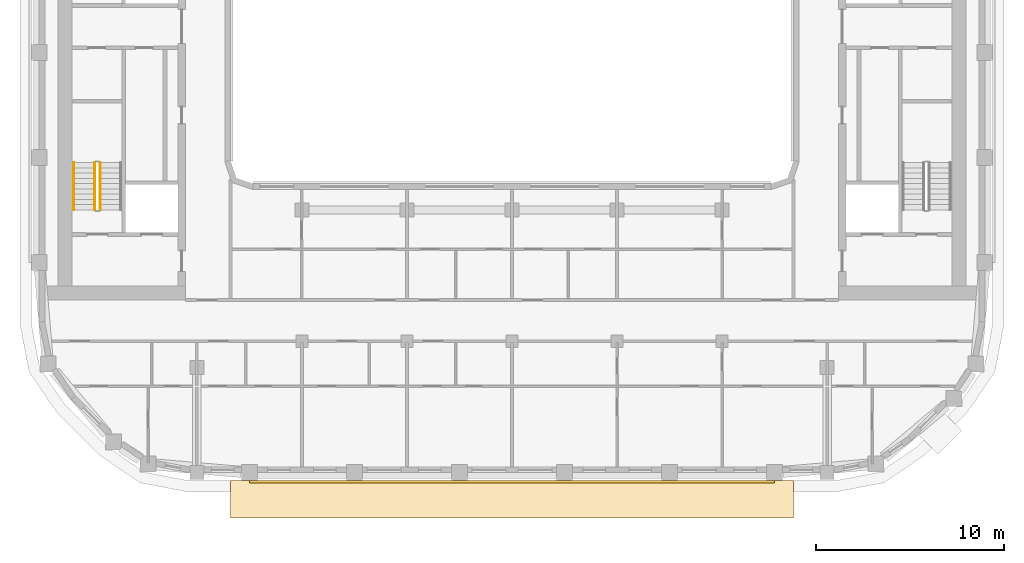
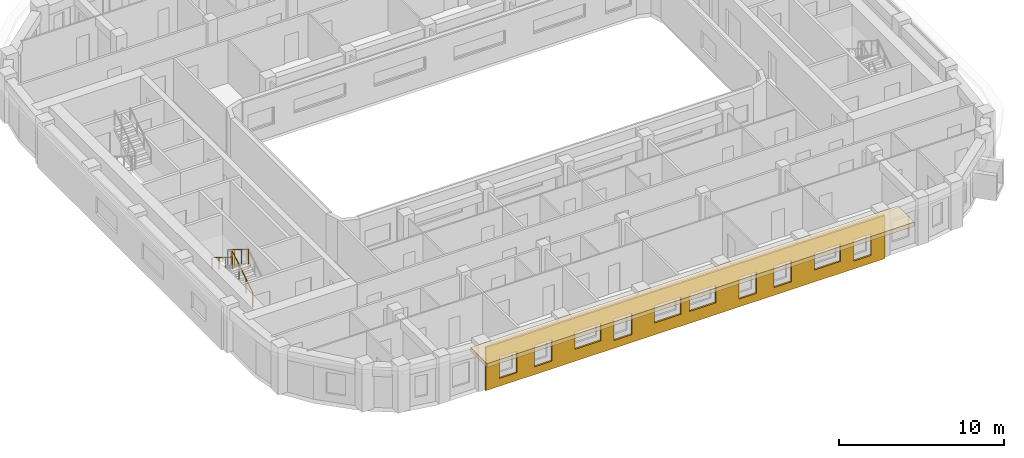
# One storey, part 11 of 21: 3 railings, 2 coverings.
"""IFC4 building model written with IfcOpenShell, lengths in metres."""

import ifcopenshell
import ifcopenshell.guid

model = None  # the IFC model being written
_history = None  # IfcOwnerHistory: only IFC2X3 demands one
_inside = {}  # id of a spatial element -> (the spatial element, [elements in it])
_under = {}  # id of a project, library or spatial element -> (it, [spatial elements below it])
_declared = {}  # id of a project -> (the project, [libraries it declares])
_typed = {}  # id of a type object -> (the type object, [elements of that type])
_made_of = {}  # id of a material, layer set ... -> (it, [elements and type objects made of it])


def new_model(schema):
    """Start an empty IFC model of exactly this schema.

    Asked for "IFC4X3", IfcOpenShell would pick the latest addendum, in which some entities
    have other attributes; the version numbers below select the first issue.
    IFC2X3 requires an IfcOwnerHistory on every rooted entity: one is made here for all.
    """
    global model, _history
    if schema == "IFC4X3":
        model = ifcopenshell.file(schema_version=(4, 3, 0, 0))
    else:
        model = ifcopenshell.file(schema=schema)
    _inside.clear()
    _under.clear()
    _declared.clear()
    _typed.clear()
    _made_of.clear()
    _history = None
    if model.schema == "IFC2X3":
        org = make("IfcOrganization", Name="unknown")
        user = make(
            "IfcPersonAndOrganization",
            ThePerson=make("IfcPerson", FamilyName="unknown"),
            TheOrganization=org,
        )
        app = make(
            "IfcApplication",
            ApplicationDeveloper=org,
            Version="unknown",
            ApplicationFullName="unknown",
            ApplicationIdentifier="unknown",
        )
        _history = make(
            "IfcOwnerHistory",
            OwningUser=user,
            OwningApplication=app,
            ChangeAction="ADDED",
            CreationDate=0,
        )
    return model


def make(cls, **values):
    """One entity of the class cls with the attributes given. An attribute that is None is left unset."""
    return model.create_entity(
        cls, **{name: value for name, value in values.items() if value is not None}
    )


def rooted(cls, **values):
    """An entity with a GlobalId (a new one), such as an element, a storey or a relation."""
    return make(cls, GlobalId=ifcopenshell.guid.new(), OwnerHistory=_history, **values)


def si_unit(unit_type, name, prefix=None):
    """IfcSIUnit, for example si_unit("LENGTHUNIT", "METRE", prefix="MILLI")."""
    return make("IfcSIUnit", UnitType=unit_type, Prefix=prefix, Name=name)


def assignment(units):
    """IfcUnitAssignment: the units of a project."""
    return None if units is None else make("IfcUnitAssignment", Units=units)


def point(xyz):
    """IfcCartesianPoint."""
    return None if xyz is None else make("IfcCartesianPoint", Coordinates=xyz)


def direction(xyz):
    """IfcDirection."""
    return None if xyz is None else make("IfcDirection", DirectionRatios=xyz)


def frame(location, z_axis=None, x_axis=None):
    """IfcAxis2Placement3D, a coordinate frame: its origin and axes. An axis left out is left unset."""
    return make(
        "IfcAxis2Placement3D",
        Location=point(location),
        Axis=direction(z_axis),
        RefDirection=direction(x_axis),
    )


def frame_2d(location, x_axis=None):
    """IfcAxis2Placement2D, a coordinate frame in the plane: its origin and x axis."""
    return make(
        "IfcAxis2Placement2D", Location=point(location), RefDirection=direction(x_axis)
    )


def origin():
    """The frame at (0, 0, 0) with its axes left unset."""
    return frame((0.0, 0.0, 0.0))


def origin_2d():
    """The frame at (0, 0) in the plane with its x axis left unset."""
    return frame_2d((0.0, 0.0))


def place(relative_to, where):
    """IfcLocalPlacement: puts the frame where relative to a parent placement (None: the world)."""
    return make(
        "IfcLocalPlacement", PlacementRelTo=relative_to, RelativePlacement=where
    )


def context(
    kind, dimensions, precision=None, world=None, true_north=None, identifier=None
):
    """IfcGeometricRepresentationContext, for example the 3D "Model" context."""
    return make(
        "IfcGeometricRepresentationContext",
        ContextIdentifier=identifier,
        ContextType=kind,
        CoordinateSpaceDimension=dimensions,
        Precision=precision,
        WorldCoordinateSystem=world,
        TrueNorth=true_north,
    )


def subcontext(parent, identifier, kind, view, scale=None):
    """IfcGeometricRepresentationSubContext, for example "Body" below "Model"."""
    return make(
        "IfcGeometricRepresentationSubContext",
        ContextIdentifier=identifier,
        ContextType=kind,
        ParentContext=parent,
        TargetScale=scale,
        TargetView=view,
    )


def project(units=None, contexts=None):
    """IfcProject with its units and contexts."""
    return rooted(
        "IfcProject",
        Name="project",
        RepresentationContexts=contexts,
        UnitsInContext=assignment(units),
    )


def spatial(cls, under=None, at=None, **own):
    """A site, building, storey or space (cls), placed at a placement, below another one or the project."""
    s = rooted(cls, ObjectPlacement=at, **own)
    if under is not None:
        _under.setdefault(under.id(), (under, []))[1].append(s)
    return s


def polyline(points):
    """IfcPolyline through the points."""
    return make("IfcPolyline", Points=[point(p) for p in points])


def profile(cls, at=None, kind="AREA", **sizes):
    """A parametric profile (cls). Its sizes go by their IFC names, for example OverallWidth=200.0."""
    return make(cls, ProfileType=kind, Position=at, **sizes)


def circle(**sizes):
    """IfcCircleProfileDef."""
    return profile("IfcCircleProfileDef", **sizes)


def outline(outer, holes=None, kind="AREA"):
    """IfcArbitraryClosedProfileDef: a profile drawn as a closed curve; with holes, ...WithVoids."""
    if holes is None:
        return make("IfcArbitraryClosedProfileDef", ProfileType=kind, OuterCurve=outer)
    return make(
        "IfcArbitraryProfileDefWithVoids",
        ProfileType=kind,
        OuterCurve=outer,
        InnerCurves=holes,
    )


def extrude(swept, where, along, depth):
    """IfcExtrudedAreaSolid: the profile swept, set in the frame where, extruded along a direction by depth."""
    return make(
        "IfcExtrudedAreaSolid",
        SweptArea=swept,
        Position=where,
        ExtrudedDirection=direction(along),
        Depth=depth,
    )


def shape(context_of_items, identifier, shape_type, items):
    """IfcShapeRepresentation: the items that make up one representation, for example the "Body"."""
    return make(
        "IfcShapeRepresentation",
        ContextOfItems=context_of_items,
        RepresentationIdentifier=identifier,
        RepresentationType=shape_type,
        Items=items,
    )


def material(Name=None, Category=None):
    """IfcMaterial."""
    return make("IfcMaterial", Name=Name, Category=Category)


def layer(
    of_material, thickness, ventilated=None, Name=None, Category=None, Priority=None
):
    """IfcMaterialLayer: one layer of a wall or slab, of a material (None: an air gap)."""
    return make(
        "IfcMaterialLayer",
        Material=of_material,
        LayerThickness=thickness,
        IsVentilated=ventilated,
        Name=Name,
        Category=Category,
        Priority=Priority,
    )


def layer_set(layers, Name=None):
    """IfcMaterialLayerSet."""
    return make("IfcMaterialLayerSet", MaterialLayers=layers, LayerSetName=Name)


def made_of(thing, what):
    """Note that an element or type object is made of a material, layer set ...; save() writes the relation."""
    if what is not None:
        _made_of.setdefault(what.id(), (what, []))[1].append(thing)
    return thing


def type_object(cls, material=None, **own):
    """A type object (cls), such as IfcWallType, which elements share."""
    return made_of(rooted(cls, **own), material)


def element(
    cls,
    number,
    at=None,
    inside=None,
    cuts=None,
    type_object=None,
    material=None,
    context=None,
    identifier="Body",
    shape_type=None,
    held_by="IfcProductDefinitionShape",
    body=None,
    shapes=None,
    **own,
):
    """One element of the class cls, such as IfcWall. Its Tag is "e" and its number.

    at: its placement. inside: the storey or other place that contains it. cuts: it is an
    opening in that element (IfcRelVoidsElement). A single representation is given by context,
    identifier, shape_type and body (its items); several are given by shapes. held_by: the class
    of the entity that holds the representations. save() writes the other relations.
    """
    e = rooted(cls, Tag="e%d" % number, ObjectPlacement=at, **own)
    if body is not None:
        shapes = [shape(context, identifier, shape_type, body)]
    if shapes is not None:
        e.Representation = make(held_by, Representations=shapes)
    if inside is not None:
        _inside.setdefault(inside.id(), (inside, []))[1].append(e)
    if cuts is not None:
        rooted(
            "IfcRelVoidsElement", RelatingBuildingElement=cuts, RelatedOpeningElement=e
        )
    if type_object is not None:
        _typed.setdefault(type_object.id(), (type_object, []))[1].append(e)
    return made_of(e, material)


def aggregate(whole, parts):
    """IfcRelAggregates: a whole, such as a stair, and the parts it consists of."""
    return rooted("IfcRelAggregates", RelatingObject=whole, RelatedObjects=parts)


def save(model, path):
    """Write the relations noted so far, then the file.

    IfcRelAggregates (storeys below a building ...), IfcRelContainedInSpatialStructure (elements
    in a storey), IfcRelDefinesByType, IfcRelAssociatesMaterial and IfcRelDeclares: one each for
    every whole, place, type object, material and project.
    """
    for whole, parts in _under.values():
        aggregate(whole, parts)
    for where, things in _inside.values():
        rooted(
            "IfcRelContainedInSpatialStructure",
            RelatedElements=things,
            RelatingStructure=where,
        )
    for kind, things in _typed.values():
        rooted("IfcRelDefinesByType", RelatedObjects=things, RelatingType=kind)
    for what, things in _made_of.values():
        rooted("IfcRelAssociatesMaterial", RelatedObjects=things, RelatingMaterial=what)
    for by, libraries in _declared.values():
        rooted("IfcRelDeclares", RelatingContext=by, RelatedDefinitions=libraries)
    model.write(path)


model = new_model("IFC4")

# Units and contexts
model_context = context("Model", 3, precision=1e-05, world=origin(), true_north=direction((0.0, 1.0)))
body_context = subcontext(model_context, "Body", "Model", "MODEL_VIEW")
ifc_project = project(units=[si_unit("LENGTHUNIT", "METRE"), si_unit("AREAUNIT", "SQUARE_METRE"), si_unit("VOLUMEUNIT", "CUBIC_METRE"), si_unit("PLANEANGLEUNIT", "RADIAN"), si_unit("MASSUNIT", "GRAM", prefix="KILO")], contexts=[model_context])

# Site, building, storey
site_placement = place(None, origin())
site = spatial("IfcSite", under=ifc_project, at=site_placement, CompositionType="ELEMENT")
building_placement = place(site_placement, origin())
building = spatial("IfcBuilding", under=site, at=building_placement, Name="Kiln Ring Residences", CompositionType="ELEMENT")
storey_placement = place(building_placement, frame((0.0, 0.0, 223.89990234375)))
storey = spatial("IfcBuildingStorey", under=building, at=storey_placement, Name="L58", CompositionType="ELEMENT", Elevation=223.89990234375)

# Railings
ifc_material_1 = material(Name="Stainless steel", Category="steel")
railing_type_1 = type_object("IfcRailingType", Name="CORE-STAIR-GUARD", PredefinedType="GUARDRAIL", material=ifc_material_1)
railing_1_placement = place(storey_placement, frame((-21.949951171875, -8.39990234375, 0.175048828125)))
element("IfcRailing", 1, at=railing_1_placement, inside=storey, type_object=railing_type_1, Name="L58 W-STS stair guard 1", PredefinedType="GUARDRAIL", context=body_context, shape_type="SweptSolid", body=[
    extrude(circle(Radius=0.02392578125, at=origin_2d()), frame((0.0, 0.0, 1.076171875), z_axis=(0.0, 0.848007534815, 0.529984170421), x_axis=(-1.0, 0.0, 0.0)), (0.0, 0.0, 1.0), 2.9716796875),
    extrude(circle(Radius=0.02099609375, at=origin_2d()), origin(), (0.0, 0.0, 1.0), 1.052001953125),
    extrude(circle(Radius=0.02099609375, at=origin_2d()), frame((0.0, 0.840087890625, 0.52490234375)), (0.0, 0.0, 1.0), 1.052001953125),
    extrude(circle(Radius=0.02099609375, at=origin_2d()), frame((0.0, 1.679931640625, 1.050048828125)), (0.0, 0.0, 1.0), 1.052001953125),
    extrude(circle(Radius=0.02099609375, at=origin_2d()), frame((0.0, 2.52001953125, 1.574951171875)), (0.0, 0.0, 1.0), 1.052001953125),
])
railing_2_placement = place(storey_placement, frame((-22.25, -5.8798828125, 1.925048828125)))
element("IfcRailing", 2, at=railing_2_placement, inside=storey, type_object=railing_type_1, Name="L58 W-STS stair guard 3", PredefinedType="GUARDRAIL", context=body_context, shape_type="SweptSolid", body=[
    extrude(circle(Radius=0.02392578125, at=origin_2d()), frame((0.0, 0.0, 1.076171875), z_axis=(0.0, -0.848007534815, 0.529984170421), x_axis=(1.0, 0.0, 0.0)), (0.0, 0.0, 1.0), 2.9716796875),
    extrude(circle(Radius=0.02099609375, at=origin_2d()), origin(), (0.0, 0.0, 1.0), 1.052001953125),
    extrude(circle(Radius=0.02099609375, at=origin_2d()), frame((0.0, -0.840087890625, 0.52490234375)), (0.0, 0.0, 1.0), 1.052001953125),
    extrude(circle(Radius=0.02099609375, at=origin_2d()), frame((0.0, -1.679931640625, 1.050048828125)), (0.0, 0.0, 1.0), 1.052001953125),
    extrude(circle(Radius=0.02099609375, at=origin_2d()), frame((0.0, -2.52001953125, 1.574951171875)), (0.0, 0.0, 1.0), 1.052001953125),
])
ifc_material_2 = material(Name="Stainless steel", Category="steel")
railing_type_2 = type_object("IfcRailingType", Name="CORE-STAIR-HANDRAIL", PredefinedType="HANDRAIL", material=ifc_material_2)
railing_3_placement = place(storey_placement, frame((-23.35009765625, -5.8798828125, 1.925048828125)))
element("IfcRailing", 3, at=railing_3_placement, inside=storey, type_object=railing_type_2, Name="L58 W-STS stair handrail 2", PredefinedType="HANDRAIL", context=body_context, shape_type="SweptSolid", body=[
    extrude(circle(Radius=0.02392578125, at=origin_2d()), frame((0.0, 0.0, 0.8759765625), z_axis=(0.0, -0.848007534815, 0.529984170421), x_axis=(1.0, 0.0, 0.0)), (0.0, 0.0, 1.0), 2.9716796875),
    extrude(circle(Radius=0.02099609375, at=origin_2d()), origin(), (0.0, 0.0, 1.0), 0.851806640625),
    extrude(circle(Radius=0.02099609375, at=origin_2d()), frame((0.0, -0.840087890625, 0.52490234375)), (0.0, 0.0, 1.0), 0.851806640625),
    extrude(circle(Radius=0.02099609375, at=origin_2d()), frame((0.0, -1.679931640625, 1.050048828125)), (0.0, 0.0, 1.0), 0.851806640625),
    extrude(circle(Radius=0.02099609375, at=origin_2d()), frame((0.0, -2.52001953125, 1.574951171875)), (0.0, 0.0, 1.0), 0.851806640625),
])

# Coverings
ifc_material_3 = material(Name="Brick masonry, dark clay brick", Category="masonry")
ifc_layer_1 = layer(ifc_material_3, 0.1201171875)
ifc_layer_set_1 = layer_set([ifc_layer_1], Name="RAINSCREEN PANEL 120")
covering_type_1 = type_object("IfcCoveringType", Name="RAINSCREEN PANEL 120", PredefinedType="CLADDING", material=ifc_layer_set_1)
covering_1_placement = place(storey_placement, frame((-14.0, -22.885009765625, 0.0), z_axis=(0.0, 0.0, 1.0), x_axis=(1.0, 0.0, 0.0)))
element("IfcCovering", 4, at=covering_1_placement, inside=storey, type_object=covering_type_1, Name="RAINSCREEN L58", PredefinedType="CLADDING", context=body_context, shape_type="SweptSolid", body=[
    extrude(outline(polyline([(0.0, 0.0), (28.0, 0.0), (28.0, 3.2001953125), (0.0, 3.2001953125), (0.0, 0.0)]), holes=[polyline([(0.955078125, 0.580078125), (2.195068359375, 0.580078125), (2.195068359375, 2.170166015625), (0.955078125, 2.170166015625), (0.955078125, 0.580078125)]), polyline([(3.405029296875, 0.580078125), (4.64501953125, 0.580078125), (4.64501953125, 2.170166015625), (3.405029296875, 2.170166015625), (3.405029296875, 0.580078125)]), polyline([(9.0048828125, 0.580078125), (10.2451171875, 0.580078125), (10.2451171875, 2.170166015625), (9.0048828125, 2.170166015625), (9.0048828125, 0.580078125)]), polyline([(17.7548828125, 2.170166015625), (17.7548828125, 0.580078125), (18.9951171875, 0.580078125), (18.9951171875, 2.170166015625), (17.7548828125, 2.170166015625)]), polyline([(20.205078125, 2.170166015625), (20.205078125, 0.580078125), (21.445068359375, 0.580078125), (21.445068359375, 2.170166015625), (20.205078125, 2.170166015625)]), polyline([(25.804931640625, 0.580078125), (27.044921875, 0.580078125), (27.044921875, 2.170166015625), (25.804931640625, 2.170166015625), (25.804931640625, 0.580078125)]), polyline([(6.2548828125, 0.880126953125), (8.094970703125, 0.880126953125), (8.094970703125, 2.170166015625), (6.2548828125, 2.170166015625), (6.2548828125, 0.880126953125)]), polyline([(11.85498046875, 0.880126953125), (13.695068359375, 0.880126953125), (13.695068359375, 2.170166015625), (11.85498046875, 2.170166015625), (11.85498046875, 0.880126953125)]), polyline([(14.304931640625, 2.170166015625), (14.304931640625, 0.880126953125), (16.14501953125, 0.880126953125), (16.14501953125, 2.170166015625), (14.304931640625, 2.170166015625)]), polyline([(23.054931640625, 2.170166015625), (23.054931640625, 0.880126953125), (24.89501953125, 0.880126953125), (24.89501953125, 2.170166015625), (23.054931640625, 2.170166015625)])]), frame((0.0, 0.06005859375, 0.0), z_axis=(0.0, -1.0, 0.0), x_axis=(1.0, 0.0, 0.0)), (0.0, 0.0, 1.0), 0.1201171875),
])
ifc_material_4 = material(Name="Black powder-coated steel", Category="steel")
ifc_layer_2 = layer(ifc_material_4, 0.300048828125)
ifc_layer_set_2 = layer_set([ifc_layer_2], Name="SUNSHADE BAND 2000")
covering_type_2 = type_object("IfcCoveringType", Name="SUNSHADE BAND 2000", PredefinedType="CLADDING", material=ifc_layer_set_2)
covering_2_placement = place(storey_placement, frame((0.0, 0.0, 3.2001953125)))
element("IfcCovering", 5, at=covering_2_placement, inside=storey, type_object=covering_type_2, Name="SUNSHADE BAND L58", PredefinedType="CLADDING", context=body_context, shape_type="SweptSolid", body=[
    extrude(outline(polyline([(-15.0, -24.824951171875), (15.0, -24.824951171875), (15.0, -22.824951171875), (-15.0, -22.824951171875), (-15.0, -24.824951171875)])), origin(), (0.0, 0.0, 1.0), 0.2998046875),
])

save(model, "model.ifc")
